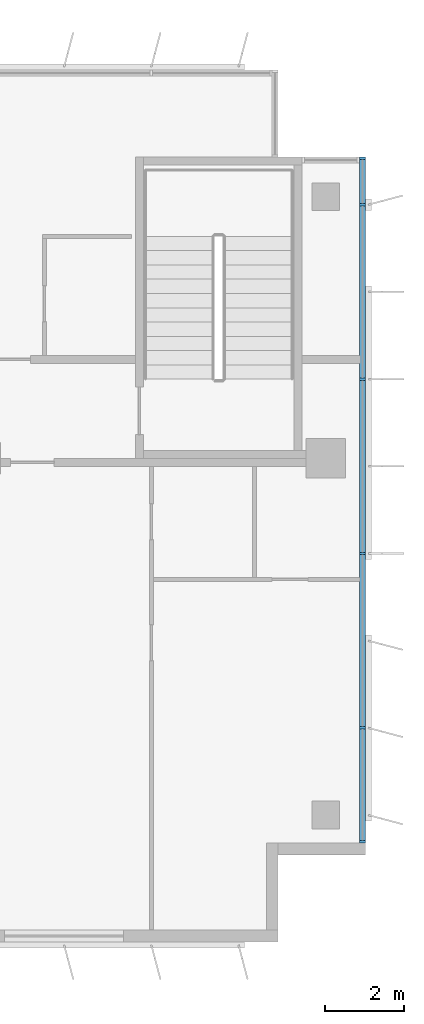
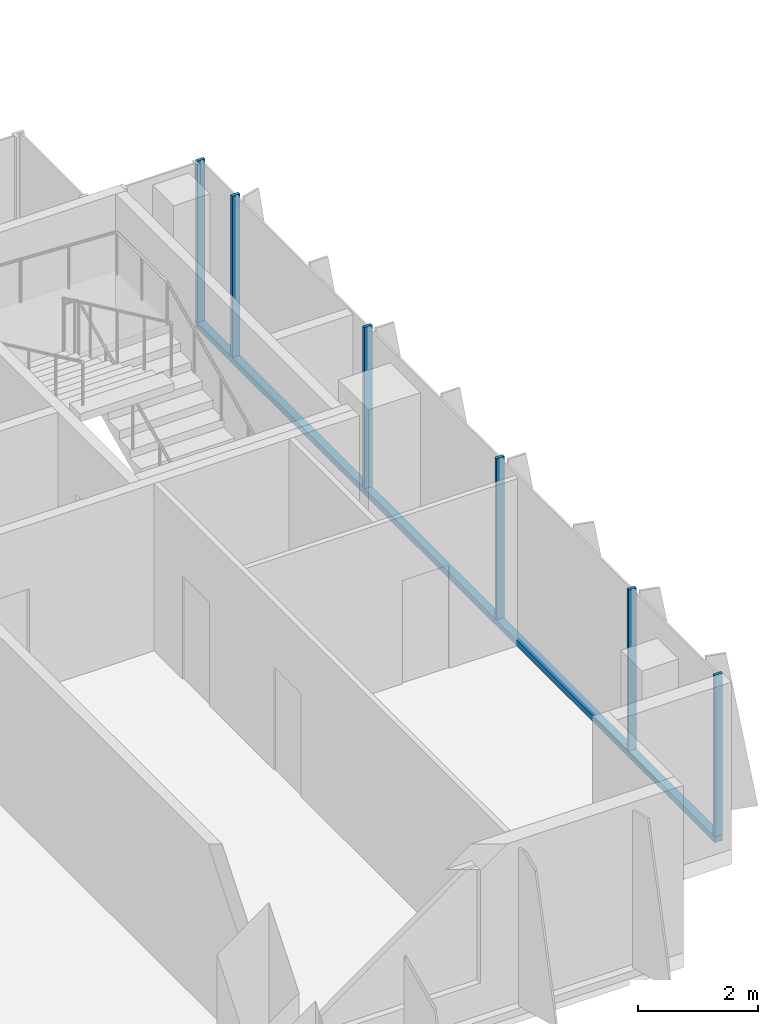
# One storey, part 8 of 21: 7 members, 1 element without a shape of its own.
"""IFC4 building model written with IfcOpenShell, lengths in metres."""

from ifc_helpers import new_model, si_unit, direction, frame, origin, origin_2d, place, context, subcontext, project, spatial, rectangle, extrude, source, transform, mapped, material, material_profile, profile_set, type_object, element, aggregate, save


model = new_model("IFC4")

# Units and contexts
model_context = context("Model", 3, precision=1e-05, world=origin(), true_north=direction((0.0, 1.0)))
body_context = subcontext(model_context, "Body", "Model", "MODEL_VIEW")
ifc_project = project(units=[si_unit("LENGTHUNIT", "METRE"), si_unit("AREAUNIT", "SQUARE_METRE"), si_unit("VOLUMEUNIT", "CUBIC_METRE"), si_unit("PLANEANGLEUNIT", "RADIAN"), si_unit("MASSUNIT", "GRAM", prefix="KILO")], contexts=[model_context])

# Site, building, storey
site_placement = place(None, origin())
site = spatial("IfcSite", under=ifc_project, at=site_placement, CompositionType="ELEMENT")
building_placement = place(site_placement, origin())
building = spatial("IfcBuilding", under=site, at=building_placement, Name="Kemantara Hotel Tower", CompositionType="ELEMENT")
storey_placement = place(building_placement, frame((0.0, 0.0, 208.0)))
storey = spatial("IfcBuildingStorey", under=building, at=storey_placement, Name="L51", CompositionType="ELEMENT", Elevation=208.0)

# Curtain wall, members
ifc_material_1 = material(Name="Low-E tinted double insulated glass 36 mm", Category="glass")
curtain_wall_type = type_object("IfcCurtainWallType", Name="TOWER CURTAIN WALL, FRONT FACES", PredefinedType="USERDEFINED", material=ifc_material_1)
curtain_wall_placement = place(storey_placement, origin())
curtain_wall = element("IfcCurtainWall", 1, at=curtain_wall_placement, inside=storey, type_object=curtain_wall_type, Name="CW4 L51 T3-R11-1", ObjectType="TOWER CURTAIN WALL, FRONT FACES", PredefinedType="USERDEFINED")
ifc_material_2 = material(Name="Aluminium 6063-T6 bronze anodised", Category="aluminium")
ifc_material_profile_1 = material_profile(ifc_material_2, rectangle(XDim=0.14990234375, YDim=0.1201171875, at=origin_2d()), Name="TOWER CURTAIN WALL, FRONT FACES TRANSOM")
ifc_profile_set_1 = profile_set([ifc_material_profile_1], Name="Aluminium 6063-T6 bronze anodised")
member_type_1 = type_object("IfcMemberType", Name="TOWER CURTAIN WALL, FRONT FACES TRANSOM", PredefinedType="USERDEFINED", material=ifc_profile_set_1)
member_1_placement = place(storey_placement, frame((63.52490234375, 2.5, 0.06005859375), z_axis=(0.0, 1.0, 0.0), x_axis=(-1.0, 0.0, 0.0)))
member_1 = element("IfcMember", 2, at=member_1_placement, type_object=member_type_1, Name="CW4 sill transom T3-R11-1", ObjectType="TRANSOM", PredefinedType="USERDEFINED", context=body_context, shape_type="SweptSolid", body=[
    extrude(rectangle(XDim=0.14990234375, YDim=0.1201171875, at=origin_2d()), origin(), (0.0, 0.0, 1.0), 17.300048828125),
])
ifc_material_profile_2 = material_profile(ifc_material_2, rectangle(XDim=0.14990234375, YDim=0.06005859375, at=origin_2d()), Name="TOWER CURTAIN WALL, FRONT FACES MULLION")
ifc_profile_set_2 = profile_set([ifc_material_profile_2], Name="Aluminium 6063-T6 bronze anodised")
member_type_2 = type_object("IfcMemberType", Name="TOWER CURTAIN WALL, FRONT FACES MULLION", PredefinedType="MULLION", material=ifc_profile_set_2)
shared_shape = source(origin(), body_context, "Body", "SweptSolid", [
    extrude(rectangle(XDim=0.14990234375, YDim=0.06005859375, at=origin_2d()), origin(), (0.0, 0.0, 1.0), 3.27978515625),
])
member_2_placement = place(storey_placement, frame((63.52490234375, 2.530029296875, 0.1201171875), z_axis=(0.0, 0.0, 1.0), x_axis=(-1.0, 0.0, 0.0)))
member_2 = element("IfcMember", 3, at=member_2_placement, type_object=member_type_2, Name="CW4 mullion T3-R11-1.1", PredefinedType="MULLION", context=body_context, shape_type="MappedRepresentation", body=[
    mapped(shared_shape, transform((0.0, 0.0, 0.0))),
])
member_3_placement = place(storey_placement, frame((63.52490234375, 5.39990234375, 0.1201171875), z_axis=(0.0, 0.0, 1.0), x_axis=(-1.0, 0.0, 0.0)))
member_3 = element("IfcMember", 4, at=member_3_placement, type_object=member_type_2, Name="CW4 mullion T3-R11-1.2", PredefinedType="MULLION", context=body_context, shape_type="MappedRepresentation", body=[
    mapped(shared_shape, transform((0.0, 0.0, 0.0))),
])
member_4_placement = place(storey_placement, frame((63.52490234375, 9.800048828125, 0.1201171875), z_axis=(0.0, 0.0, 1.0), x_axis=(-1.0, 0.0, 0.0)))
member_4 = element("IfcMember", 5, at=member_4_placement, type_object=member_type_2, Name="CW4 mullion T3-R11-1.3", PredefinedType="MULLION", context=body_context, shape_type="MappedRepresentation", body=[
    mapped(shared_shape, transform((0.0, 0.0, 0.0))),
])
member_5_placement = place(storey_placement, frame((63.52490234375, 14.199951171875, 0.1201171875), z_axis=(0.0, 0.0, 1.0), x_axis=(-1.0, 0.0, 0.0)))
member_5 = element("IfcMember", 6, at=member_5_placement, type_object=member_type_2, Name="CW4 mullion T3-R11-1.4", PredefinedType="MULLION", context=body_context, shape_type="MappedRepresentation", body=[
    mapped(shared_shape, transform((0.0, 0.0, 0.0))),
])
member_6_placement = place(storey_placement, frame((63.52490234375, 18.60009765625, 0.1201171875), z_axis=(0.0, 0.0, 1.0), x_axis=(-1.0, 0.0, 0.0)))
member_6 = element("IfcMember", 7, at=member_6_placement, type_object=member_type_2, Name="CW4 mullion T3-R11-1.5", PredefinedType="MULLION", context=body_context, shape_type="MappedRepresentation", body=[
    mapped(shared_shape, transform((0.0, 0.0, 0.0))),
])
member_7_placement = place(storey_placement, frame((63.52490234375, 19.77001953125, 0.1201171875), z_axis=(0.0, 0.0, 1.0), x_axis=(-1.0, 0.0, 0.0)))
member_7 = element("IfcMember", 8, at=member_7_placement, type_object=member_type_2, Name="CW4 mullion T3-R11-1.6", PredefinedType="MULLION", context=body_context, shape_type="MappedRepresentation", body=[
    mapped(shared_shape, transform((0.0, 0.0, 0.0))),
])
aggregate(curtain_wall, [member_1, member_2, member_3, member_4, member_5, member_6, member_7])

save(model, "model.ifc")
